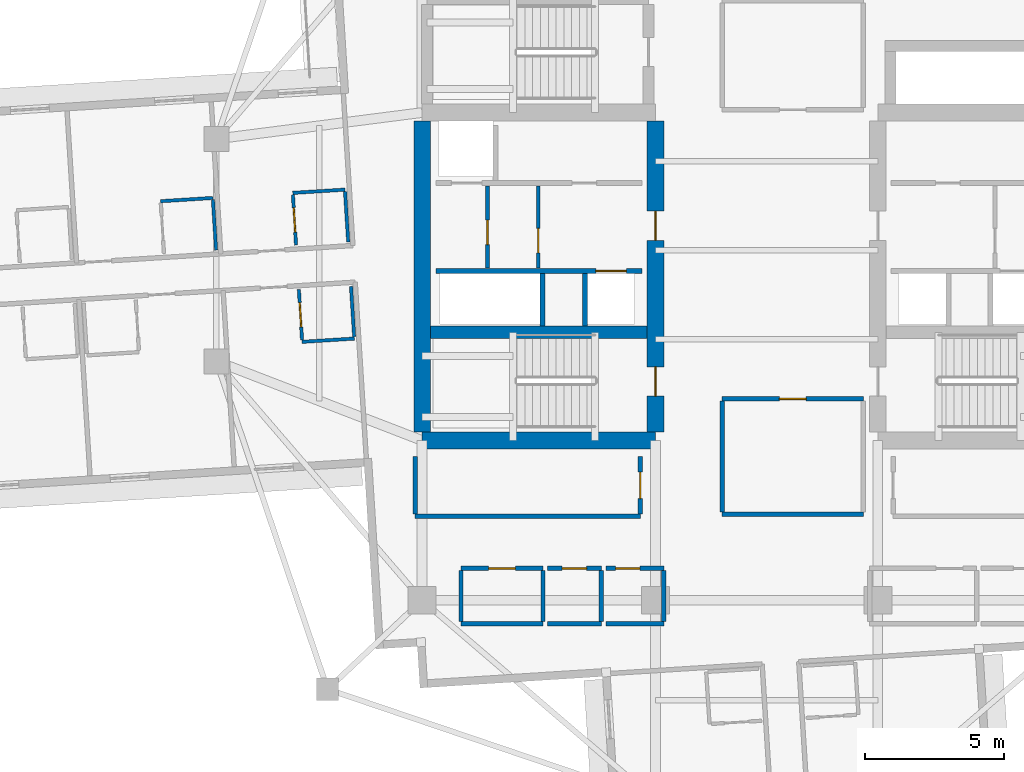
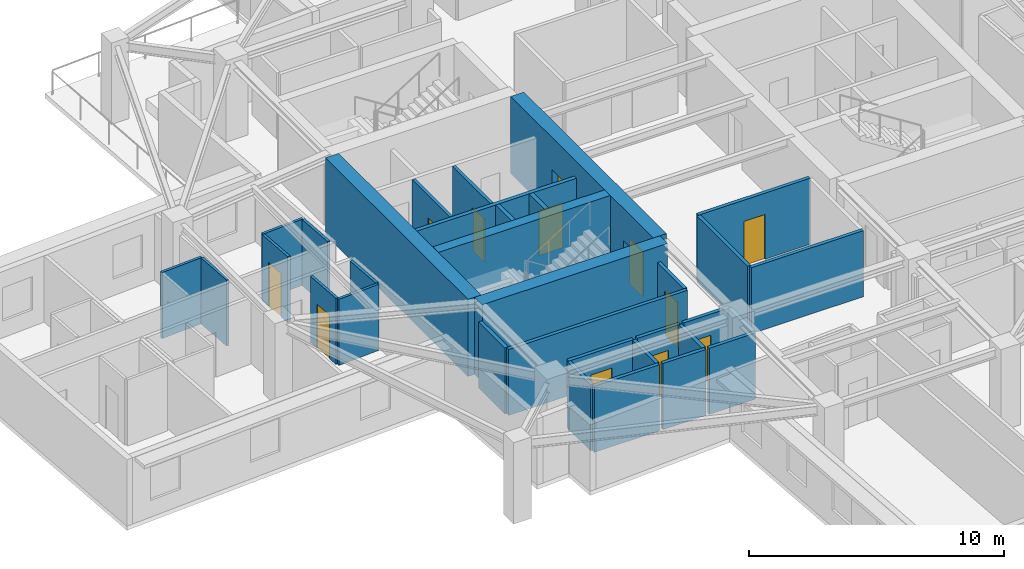
# One storey, part 4 of 13: 33 walls, 12 doors, 12 openings.
"""IFC4 building model written with IfcOpenShell, lengths in metres."""

from ifc_helpers import new_model, si_unit, direction, frame, frame_2d, origin, place, context, subcontext, project, spatial, rectangle, extrude, material, layer, layer_set, type_object, element, fill, save


model = new_model("IFC4")

# Units and contexts
model_context = context("Model", 3, precision=1e-05, world=origin(), true_north=direction((0.0, 1.0)))
body_context = subcontext(model_context, "Body", "Model", "MODEL_VIEW")
ifc_project = project(units=[si_unit("LENGTHUNIT", "METRE"), si_unit("AREAUNIT", "SQUARE_METRE"), si_unit("VOLUMEUNIT", "CUBIC_METRE"), si_unit("PLANEANGLEUNIT", "RADIAN"), si_unit("MASSUNIT", "GRAM", prefix="KILO")], contexts=[model_context])

# Site, building, storey
site_placement = place(None, origin())
site = spatial("IfcSite", under=ifc_project, at=site_placement, CompositionType="ELEMENT")
building_placement = place(site_placement, origin())
building = spatial("IfcBuilding", under=site, at=building_placement, Name="Qingluan Cross Belvedere", CompositionType="ELEMENT")
storey_placement = place(building_placement, frame((0.0, 0.0, 201.300048828125)))
storey = spatial("IfcBuildingStorey", under=building, at=storey_placement, Name="L50", CompositionType="ELEMENT", Elevation=201.300048828125)

# Walls
ifc_material_1 = material(Name="Concrete C50", Category="concrete")
ifc_layer_1 = layer(ifc_material_1, 0.449951171875, Name="CoreShearWall_450")
ifc_layer_set_1 = layer_set([ifc_layer_1], Name="Concrete C50")
wall_type_1 = type_object("IfcWallType", Name="CoreShearWall_450", PredefinedType="SHEAR", material=ifc_layer_set_1)
wall_1_placement = place(storey_placement, frame((-12.094970703125, -2.9599609375, 0.0), z_axis=(0.0, 0.0, 1.0), x_axis=(1.0, 0.0, 0.0)))
element("IfcWall", 1, at=wall_1_placement, inside=storey, type_object=wall_type_1, Name="Split core W shear wall L50-M", PredefinedType="SHEAR", context=body_context, shape_type="SweptSolid", body=[
    extrude(rectangle(XDim=7.7900390625, YDim=0.449951171875, at=frame_2d((3.89501953125, 0.0))), origin(), (0.0, 0.0, 1.0), 3.699951171875),
])
ifc_material_2 = material(Name="Concrete C60", Category="concrete")
ifc_layer_2 = layer(ifc_material_2, 0.60009765625, Name="CoreShearWall_600")
ifc_layer_set_2 = layer_set([ifc_layer_2], Name="Concrete C60")
wall_type_2 = type_object("IfcWallType", Name="CoreShearWall_600", PredefinedType="SHEAR", material=ifc_layer_set_2)
wall_2_placement = place(storey_placement, frame((-12.39990234375, -6.85009765625, 0.0), z_axis=(0.0, 0.0, 1.0), x_axis=(1.0, 0.0, 0.0)))
element("IfcWall", 2, at=wall_2_placement, inside=storey, type_object=wall_type_2, Name="Split core W shear wall L50-S", PredefinedType="SHEAR", context=body_context, shape_type="SweptSolid", body=[
    extrude(rectangle(XDim=8.39990234375, YDim=0.60009765625, at=frame_2d((4.199951171875, 0.0))), origin(), (0.0, 0.0, 1.0), 3.699951171875),
])
wall_3_placement = place(storey_placement, frame((-12.39990234375, -6.544921875, 0.0), z_axis=(0.0, 0.0, 1.0), x_axis=(0.0, 1.0, 0.0)))
element("IfcWall", 3, at=wall_3_placement, inside=storey, type_object=wall_type_2, Name="Split core W shear wall L50-W", PredefinedType="SHEAR", context=body_context, shape_type="SweptSolid", body=[
    extrude(rectangle(XDim=11.18994140625, YDim=0.60009765625, at=frame_2d((5.594970703125, 0.0))), origin(), (0.0, 0.0, 1.0), 3.699951171875),
])

# Wall, openings, doors
wall_4_placement = place(storey_placement, frame((-4.0, -6.544921875, 0.0), z_axis=(0.0, 0.0, 1.0), x_axis=(0.0, 1.0, 0.0)))
wall_4 = element("IfcWall", 4, at=wall_4_placement, inside=storey, type_object=wall_type_2, Name="Split core W shear wall L50-E", PredefinedType="SHEAR", context=body_context, shape_type="SweptSolid", body=[
    extrude(rectangle(XDim=11.18994140625, YDim=0.60009765625, at=frame_2d((5.594970703125, 0.0))), origin(), (0.0, 0.0, 1.0), 3.699951171875),
])
opening_1_placement = place(wall_4_placement, frame((1.294921875, 0.0, 0.0)))
opening_1 = element("IfcOpeningElement", 5, at=opening_1_placement, cuts=wall_4, Name="Opening FD-B11", PredefinedType="OPENING", context=body_context, shape_type="SweptSolid", body=[
    extrude(rectangle(XDim=1.050048828125, YDim=2.14990234375, at=frame_2d((0.52490234375, 1.074951171875))), frame((0.0, 0.31005859375, 0.0), z_axis=(0.0, -1.0, 0.0), x_axis=(1.0, 0.0, 0.0)), (0.0, 0.0, 1.0), 0.6201171875),
])
opening_2_placement = place(wall_4_placement, frame((6.89501953125, 0.0, 0.0)))
opening_2 = element("IfcOpeningElement", 6, at=opening_2_placement, cuts=wall_4, Name="Opening FD-B11", PredefinedType="OPENING", context=body_context, shape_type="SweptSolid", body=[
    extrude(rectangle(XDim=1.050048828125, YDim=2.14990234375, at=frame_2d((0.52490234375, 1.074951171875))), frame((0.0, 0.31005859375, 0.0), z_axis=(0.0, -1.0, 0.0), x_axis=(1.0, 0.0, 0.0)), (0.0, 0.0, 1.0), 0.6201171875),
])
ifc_material_3 = material(Name="Steel Class B smoke-seal fire door", Category="steel")
door_type_1 = type_object("IfcDoorType", Name="StairLobbyFireDoor_FDB", OperationType="NOTDEFINED", PredefinedType="DOOR", material=ifc_material_3)
door_1_placement = place(opening_1_placement, origin())
door_1 = element("IfcDoor", 7, at=door_1_placement, inside=storey, type_object=door_type_1, Name="Smoke-proof stair ST1 fire door L50", OperationType="SINGLE_SWING_RIGHT", OverallHeight=2.14990234375, OverallWidth=1.050048828125, PredefinedType="DOOR", context=body_context, shape_type="SweptSolid", body=[
    extrude(rectangle(XDim=1.050048828125, YDim=2.14990234375, at=frame_2d((0.52490234375, 1.074951171875))), frame((0.0, 0.02490234375, 0.0), z_axis=(0.0, -1.0, 0.0), x_axis=(1.0, 0.0, 0.0)), (0.0, 0.0, 1.0), 0.050048828125),
])
fill(opening_1, door_1)
door_2_placement = place(opening_2_placement, origin())
door_2 = element("IfcDoor", 8, at=door_2_placement, inside=storey, type_object=door_type_1, Name="Firefighting lobby West fire door L50", OperationType="SINGLE_SWING_RIGHT", OverallHeight=2.14990234375, OverallWidth=1.050048828125, PredefinedType="DOOR", context=body_context, shape_type="SweptSolid", body=[
    extrude(rectangle(XDim=1.050048828125, YDim=2.14990234375, at=frame_2d((0.52490234375, 1.074951171875))), frame((0.0, 0.02490234375, 0.0), z_axis=(0.0, -1.0, 0.0), x_axis=(1.0, 0.0, 0.0)), (0.0, 0.0, 1.0), 0.050048828125),
])
fill(opening_2, door_2)

# Wall, opening, door
ifc_material_4 = material(Name="Gypsum plasterboard on steel stud acoustic partition", Category="steel")
ifc_layer_3 = layer(ifc_material_4, 0.159912109375, Name="CorridorPartition_160")
ifc_layer_set_3 = layer_set([ifc_layer_3], Name="Gypsum plasterboard on steel stud acoustic partition")
wall_type_3 = type_object("IfcWallType", Name="CorridorPartition_160", PredefinedType="PARTITIONING", material=ifc_layer_set_3)
wall_5_placement = place(storey_placement, frame((-10.050048828125, -0.652099609375, 0.0), z_axis=(0.0, 0.0, 1.0), x_axis=(0.0, 1.0, 0.0)))
wall_5 = element("IfcWall", 9, at=wall_5_placement, inside=storey, type_object=wall_type_3, Name="Partition L50:wv", PredefinedType="PARTITIONING", context=body_context, shape_type="SweptSolid", body=[
    extrude(rectangle(XDim=2.962158203125, YDim=0.139892578125, at=frame_2d((1.48095703125, 0.0))), origin(), (0.0, 0.0, 1.0), 3.169921875),
])
opening_3_placement = place(wall_5_placement, frame((0.85009765625, 0.0, 0.0)))
opening_3 = element("IfcOpeningElement", 10, at=opening_3_placement, cuts=wall_5, Name="Opening FD-B10", PredefinedType="OPENING", context=body_context, shape_type="SweptSolid", body=[
    extrude(rectangle(XDim=0.8798828125, YDim=2.10009765625, at=frame_2d((0.43994140625, 1.050048828125))), frame((0.0, 0.079833984375, 0.0), z_axis=(0.0, -1.0, 0.0), x_axis=(1.0, 0.0, 0.0)), (0.0, 0.0, 1.0), 0.159912109375),
])
ifc_material_5 = material(Name="Steel Class B service fire door", Category="steel")
door_type_2 = type_object("IfcDoorType", Name="RiserServiceFireDoor_FDB", OperationType="NOTDEFINED", PredefinedType="DOOR", material=ifc_material_5)
door_3_placement = place(opening_3_placement, origin())
door_3 = element("IfcDoor", 11, at=door_3_placement, inside=storey, type_object=door_type_2, Name="Service closet inner door L50", OperationType="SINGLE_SWING_LEFT", OverallHeight=2.10009765625, OverallWidth=0.8798828125, PredefinedType="DOOR", context=body_context, shape_type="SweptSolid", body=[
    extrude(rectangle(XDim=0.8798828125, YDim=2.10009765625, at=frame_2d((0.43994140625, 1.050048828125))), frame((0.0, 0.02490234375, 0.0), z_axis=(0.0, -1.0, 0.0), x_axis=(1.0, 0.0, 0.0)), (0.0, 0.0, 1.0), 0.050048828125),
])
fill(opening_3, door_3)

# Wall
wall_6_placement = place(storey_placement, frame((-11.0, -13.449951171875, 0.0), z_axis=(0.0, 0.0, 1.0), x_axis=(1.0, 0.0, 0.0)))
element("IfcWall", 12, at=wall_6_placement, inside=storey, type_object=wall_type_3, Name="Partition L50:q_sw_occ:S", PredefinedType="PARTITIONING", context=body_context, shape_type="SweptSolid", body=[
    extrude(rectangle(XDim=2.949951171875, YDim=0.159912109375, at=frame_2d((1.47509765625, 0.0))), origin(), (0.0, 0.0, 1.0), 3.169921875),
])

# Wall, opening, door
wall_7_placement = place(storey_placement, frame((-11.0, -11.449951171875, 0.0), z_axis=(0.0, 0.0, 1.0), x_axis=(1.0, 0.0, 0.0)))
wall_7 = element("IfcWall", 13, at=wall_7_placement, inside=storey, type_object=wall_type_3, Name="Partition L50:q_sw_occ:N", PredefinedType="PARTITIONING", context=body_context, shape_type="SweptSolid", body=[
    extrude(rectangle(XDim=2.949951171875, YDim=0.159912109375, at=frame_2d((1.47509765625, 0.0))), origin(), (0.0, 0.0, 1.0), 3.169921875),
])
opening_4_placement = place(wall_7_placement, frame((0.9951171875, 0.0, 0.0)))
opening_4 = element("IfcOpeningElement", 14, at=opening_4_placement, cuts=wall_7, Name="Opening GD-10", PredefinedType="OPENING", context=body_context, shape_type="SweptSolid", body=[
    extrude(rectangle(XDim=0.9599609375, YDim=2.14990234375, at=frame_2d((0.47998046875, 1.074951171875))), frame((0.0, 0.08984375, 0.0), z_axis=(0.0, -1.0, 0.0), x_axis=(1.0, 0.0, 0.0)), (0.0, 0.0, 1.0), 0.179931640625),
])
ifc_material_6 = material(Name="Timber oak fire-rated acoustic guestroom door", Category="wood")
door_type_3 = type_object("IfcDoorType", Name="GuestEntryDoor_FD60", OperationType="NOTDEFINED", PredefinedType="DOOR", material=ifc_material_6)
door_4_placement = place(opening_4_placement, origin())
door_4 = element("IfcDoor", 15, at=door_4_placement, inside=storey, type_object=door_type_3, Name="Music listening study L50 door", OperationType="SINGLE_SWING_RIGHT", OverallHeight=2.14990234375, OverallWidth=0.9599609375, PredefinedType="DOOR", context=body_context, shape_type="SweptSolid", body=[
    extrude(rectangle(XDim=0.9599609375, YDim=2.14990234375, at=frame_2d((0.47998046875, 1.074951171875))), frame((0.0, 0.02490234375, 0.0), z_axis=(0.0, -1.0, 0.0), x_axis=(1.0, 0.0, 0.0)), (0.0, 0.0, 1.0), 0.050048828125),
])
fill(opening_4, door_4)

# Walls
for number, where, z_axis, x_axis, name in (
    (16, (-11.0, -13.364990234375, 0.0), (0.0, 0.0, 1.0), (0.0, 1.0, 0.0), "Partition L50:q_sw_occ:W"),
    (17, (-8.050048828125, -13.364990234375, 0.0), (0.0, 0.0, 1.0), (0.0, 1.0, 0.0), "Partition L50:q_sw_occ:E"),
):
    element("IfcWall", number, at=place(storey_placement, frame(where, z_axis=z_axis, x_axis=x_axis)), inside=storey, type_object=wall_type_3, Name=name, PredefinedType="PARTITIONING", context=body_context, shape_type="SweptSolid", body=[
        extrude(rectangle(XDim=1.830078125, YDim=0.159912109375, at=frame_2d((0.9150390625, 0.0))), origin(), (0.0, 0.0, 1.0), 3.169921875),
    ])
wall_8_placement = place(storey_placement, frame((-7.889892578125, -13.449951171875, 0.0), z_axis=(0.0, 0.0, 1.0), x_axis=(1.0, 0.0, 0.0)))
element("IfcWall", 18, at=wall_8_placement, inside=storey, type_object=wall_type_3, Name="Partition L50:hk_linen:S", PredefinedType="PARTITIONING", context=body_context, shape_type="SweptSolid", body=[
    extrude(rectangle(XDim=1.93994140625, YDim=0.159912109375, at=frame_2d((0.969970703125, 0.0))), origin(), (0.0, 0.0, 1.0), 3.169921875),
])

# Wall, opening, door
wall_9_placement = place(storey_placement, frame((-7.889892578125, -11.449951171875, 0.0), z_axis=(0.0, 0.0, 1.0), x_axis=(1.0, 0.0, 0.0)))
wall_9 = element("IfcWall", 19, at=wall_9_placement, inside=storey, type_object=wall_type_3, Name="Partition L50:hk_linen:N", PredefinedType="PARTITIONING", context=body_context, shape_type="SweptSolid", body=[
    extrude(rectangle(XDim=1.93994140625, YDim=0.159912109375, at=frame_2d((0.969970703125, 0.0))), origin(), (0.0, 0.0, 1.0), 3.169921875),
])
opening_5_placement = place(wall_9_placement, frame((0.530029296875, 0.0, 0.0)))
opening_5 = element("IfcOpeningElement", 20, at=opening_5_placement, cuts=wall_9, Name="Opening FD-B10", PredefinedType="OPENING", context=body_context, shape_type="SweptSolid", body=[
    extrude(rectangle(XDim=0.8798828125, YDim=2.10009765625, at=frame_2d((0.43994140625, 1.050048828125))), frame((0.0, 0.08984375, 0.0), z_axis=(0.0, -1.0, 0.0), x_axis=(1.0, 0.0, 0.0)), (0.0, 0.0, 1.0), 0.179931640625),
])
door_5_placement = place(opening_5_placement, origin())
door_5 = element("IfcDoor", 21, at=door_5_placement, inside=storey, type_object=door_type_2, Name="Housekeeping and linen store L50 door", OperationType="SINGLE_SWING_LEFT", OverallHeight=2.10009765625, OverallWidth=0.8798828125, PredefinedType="DOOR", context=body_context, shape_type="SweptSolid", body=[
    extrude(rectangle(XDim=0.8798828125, YDim=2.10009765625, at=frame_2d((0.43994140625, 1.050048828125))), frame((0.0, 0.02490234375, 0.0), z_axis=(0.0, -1.0, 0.0), x_axis=(1.0, 0.0, 0.0)), (0.0, 0.0, 1.0), 0.050048828125),
])
fill(opening_5, door_5)

# Walls
wall_10_placement = place(storey_placement, frame((-5.949951171875, -13.364990234375, 0.0), z_axis=(0.0, 0.0, 1.0), x_axis=(0.0, 1.0, 0.0)))
element("IfcWall", 22, at=wall_10_placement, inside=storey, type_object=wall_type_3, Name="Partition L50:hk_linen:E", PredefinedType="PARTITIONING", context=body_context, shape_type="SweptSolid", body=[
    extrude(rectangle(XDim=1.830078125, YDim=0.159912109375, at=frame_2d((0.9150390625, 0.0))), origin(), (0.0, 0.0, 1.0), 3.169921875),
])
wall_11_placement = place(storey_placement, frame((-5.7900390625, -13.449951171875, 0.0), z_axis=(0.0, 0.0, 1.0), x_axis=(1.0, 0.0, 0.0)))
element("IfcWall", 23, at=wall_11_placement, inside=storey, type_object=wall_type_3, Name="Partition L50:floor_acc_wc:S", PredefinedType="PARTITIONING", context=body_context, shape_type="SweptSolid", body=[
    extrude(rectangle(XDim=2.090087890625, YDim=0.159912109375, at=frame_2d((1.044921875, 0.0))), origin(), (0.0, 0.0, 1.0), 3.169921875),
])

# Wall, opening, door
wall_12_placement = place(storey_placement, frame((-5.7900390625, -11.449951171875, 0.0), z_axis=(0.0, 0.0, 1.0), x_axis=(1.0, 0.0, 0.0)))
wall_12 = element("IfcWall", 24, at=wall_12_placement, inside=storey, type_object=wall_type_3, Name="Partition L50:floor_acc_wc:N", PredefinedType="PARTITIONING", context=body_context, shape_type="SweptSolid", body=[
    extrude(rectangle(XDim=2.090087890625, YDim=0.159912109375, at=frame_2d((1.044921875, 0.0))), origin(), (0.0, 0.0, 1.0), 3.169921875),
])
opening_6_placement = place(wall_12_placement, frame((0.35009765625, 0.0, 0.0)))
opening_6 = element("IfcOpeningElement", 25, at=opening_6_placement, cuts=wall_12, Name="Opening BD-08", PredefinedType="OPENING", context=body_context, shape_type="SweptSolid", body=[
    extrude(rectangle(XDim=0.8798828125, YDim=2.14990234375, at=frame_2d((0.43994140625, 1.074951171875))), frame((0.0, 0.08984375, 0.0), z_axis=(0.0, -1.0, 0.0), x_axis=(1.0, 0.0, 0.0)), (0.0, 0.0, 1.0), 0.179931640625),
])
ifc_material_7 = material(Name="Moisture-sealed timber accessible WC door", Category="wood")
door_type_4 = type_object("IfcDoorType", Name="AccessibleWCDoor_880", OperationType="NOTDEFINED", PredefinedType="DOOR", material=ifc_material_7)
door_6_placement = place(opening_6_placement, origin())
door_6 = element("IfcDoor", 26, at=door_6_placement, inside=storey, type_object=door_type_4, Name="Accessible guest washroom L50 door", OperationType="SINGLE_SWING_RIGHT", OverallHeight=2.14990234375, OverallWidth=0.8798828125, PredefinedType="DOOR", context=body_context, shape_type="SweptSolid", body=[
    extrude(rectangle(XDim=0.8798828125, YDim=2.14990234375, at=frame_2d((0.43994140625, 1.074951171875))), frame((0.0, 0.02490234375, 0.0), z_axis=(0.0, -1.0, 0.0), x_axis=(1.0, 0.0, 0.0)), (0.0, 0.0, 1.0), 0.050048828125),
])
fill(opening_6, door_6)

# Walls
wall_13_placement = place(storey_placement, frame((-3.699951171875, -13.364990234375, 0.0), z_axis=(0.0, 0.0, 1.0), x_axis=(0.0, 1.0, 0.0)))
element("IfcWall", 27, at=wall_13_placement, inside=storey, type_object=wall_type_3, Name="Partition L50:floor_acc_wc:E", PredefinedType="PARTITIONING", context=body_context, shape_type="SweptSolid", body=[
    extrude(rectangle(XDim=1.830078125, YDim=0.159912109375, at=frame_2d((0.9150390625, 0.0))), origin(), (0.0, 0.0, 1.0), 3.169921875),
])
wall_14_placement = place(storey_placement, frame((-1.60009765625, -9.5, 0.0), z_axis=(0.0, 0.0, 1.0), x_axis=(1.0, 0.0, 0.0)))
element("IfcWall", 28, at=wall_14_placement, inside=storey, type_object=wall_type_3, Name="Partition L50:sky_south_alcove:S", PredefinedType="PARTITIONING", context=body_context, shape_type="SweptSolid", body=[
    extrude(rectangle(XDim=5.080078125, YDim=0.159912109375, at=frame_2d((2.5400390625, 0.0))), origin(), (0.0, 0.0, 1.0), 3.169921875),
])

# Wall, opening, door
wall_15_placement = place(storey_placement, frame((-1.60009765625, -5.35009765625, 0.0), z_axis=(0.0, 0.0, 1.0), x_axis=(1.0, 0.0, 0.0)))
wall_15 = element("IfcWall", 29, at=wall_15_placement, inside=storey, type_object=wall_type_3, Name="Partition L50:sky_south_alcove:N", PredefinedType="PARTITIONING", context=body_context, shape_type="SweptSolid", body=[
    extrude(rectangle(XDim=5.080078125, YDim=0.159912109375, at=frame_2d((2.5400390625, 0.0))), origin(), (0.0, 0.0, 1.0), 3.169921875),
])
opening_7_placement = place(wall_15_placement, frame((2.06005859375, 0.0, 0.0)))
opening_7 = element("IfcOpeningElement", 30, at=opening_7_placement, cuts=wall_15, Name="Opening GD-10", PredefinedType="OPENING", context=body_context, shape_type="SweptSolid", body=[
    extrude(rectangle(XDim=0.9599609375, YDim=2.14990234375, at=frame_2d((0.47998046875, 1.074951171875))), frame((0.0, 0.08984375, 0.0), z_axis=(0.0, -1.0, 0.0), x_axis=(1.0, 0.0, 0.0)), (0.0, 0.0, 1.0), 0.179931640625),
])
door_7_placement = place(opening_7_placement, origin())
door_7 = element("IfcDoor", 31, at=door_7_placement, inside=storey, type_object=door_type_3, Name="South horizon reading alcove L50 door", OperationType="SINGLE_SWING_RIGHT", OverallHeight=2.14990234375, OverallWidth=0.9599609375, PredefinedType="DOOR", context=body_context, shape_type="SweptSolid", body=[
    extrude(rectangle(XDim=0.9599609375, YDim=2.14990234375, at=frame_2d((0.47998046875, 1.074951171875))), frame((0.0, 0.02490234375, 0.0), z_axis=(0.0, -1.0, 0.0), x_axis=(1.0, 0.0, 0.0)), (0.0, 0.0, 1.0), 0.050048828125),
])
fill(opening_7, door_7)

# Walls
wall_16_placement = place(storey_placement, frame((-1.60009765625, -9.4150390625, 0.0), z_axis=(0.0, 0.0, 1.0), x_axis=(0.0, 1.0, 0.0)))
element("IfcWall", 32, at=wall_16_placement, inside=storey, type_object=wall_type_3, Name="Partition L50:sky_south_alcove:W", PredefinedType="PARTITIONING", context=body_context, shape_type="SweptSolid", body=[
    extrude(rectangle(XDim=3.97998046875, YDim=0.159912109375, at=frame_2d((1.989990234375, 0.0))), origin(), (0.0, 0.0, 1.0), 3.169921875),
])
wall_17_placement = place(storey_placement, frame((-12.64990234375, -9.580078125, 0.0), z_axis=(0.0, 0.0, 1.0), x_axis=(1.0, 0.0, 0.0)))
element("IfcWall", 33, at=wall_17_placement, inside=storey, type_object=wall_type_3, Name="Partition L50:rec_st4_w:S", PredefinedType="PARTITIONING", context=body_context, shape_type="SweptSolid", body=[
    extrude(rectangle(XDim=8.099853515625, YDim=0.159912109375, at=frame_2d((4.0498046875, 0.0))), origin(), (0.0, 0.0, 1.0), 3.169921875),
])
wall_18_placement = place(storey_placement, frame((-12.64990234375, -9.4951171875, 0.0), z_axis=(0.0, 0.0, 1.0), x_axis=(0.0, 1.0, 0.0)))
element("IfcWall", 34, at=wall_18_placement, inside=storey, type_object=wall_type_3, Name="Partition L50:rec_st4_w:W", PredefinedType="PARTITIONING", context=body_context, shape_type="SweptSolid", body=[
    extrude(rectangle(XDim=2.06005859375, YDim=0.159912109375, at=frame_2d((1.030029296875, 0.0))), origin(), (0.0, 0.0, 1.0), 3.169921875),
])

# Wall, opening, door
wall_19_placement = place(storey_placement, frame((-4.550048828125, -9.4951171875, 0.0), z_axis=(0.0, 0.0, 1.0), x_axis=(0.0, 1.0, 0.0)))
wall_19 = element("IfcWall", 35, at=wall_19_placement, inside=storey, type_object=wall_type_3, Name="Partition L50:rec_st4_w:E", PredefinedType="PARTITIONING", context=body_context, shape_type="SweptSolid", body=[
    extrude(rectangle(XDim=2.06005859375, YDim=0.159912109375, at=frame_2d((1.030029296875, 0.0))), origin(), (0.0, 0.0, 1.0), 3.169921875),
])
opening_8_placement = place(wall_19_placement, frame((0.550048828125, 0.0, 0.0)))
opening_8 = element("IfcOpeningElement", 36, at=opening_8_placement, cuts=wall_19, Name="Opening GD-10", PredefinedType="OPENING", context=body_context, shape_type="SweptSolid", body=[
    extrude(rectangle(XDim=0.9599609375, YDim=2.14990234375, at=frame_2d((0.47998046875, 1.074951171875))), frame((0.0, 0.08984375, 0.0), z_axis=(0.0, -1.0, 0.0), x_axis=(1.0, 0.0, 0.0)), (0.0, 0.0, 1.0), 0.179931640625),
])
door_8_placement = place(opening_8_placement, origin())
door_8 = element("IfcDoor", 37, at=door_8_placement, inside=storey, type_object=door_type_3, Name="Southwest club reading room L50 door", OperationType="SINGLE_SWING_RIGHT", OverallHeight=2.14990234375, OverallWidth=0.9599609375, PredefinedType="DOOR", context=body_context, shape_type="SweptSolid", body=[
    extrude(rectangle(XDim=0.9599609375, YDim=2.14990234375, at=frame_2d((0.47998046875, 1.074951171875))), frame((0.0, 0.02490234375, 0.0), z_axis=(0.0, -1.0, 0.0), x_axis=(1.0, 0.0, 0.0)), (0.0, 0.0, 1.0), 0.050048828125),
])
fill(opening_8, door_8)

ifc_material_8 = material(Name="Moisture-resistant gypsum board lining")
ifc_layer_4 = layer(ifc_material_8, 0.1201171875, Name="EnsuiteWetPartition_120")
ifc_layer_set_4 = layer_set([ifc_layer_4], Name="Moisture-resistant gypsum board lining")
wall_type_4 = type_object("IfcWallType", Name="EnsuiteWetPartition_120", PredefinedType="PARTITIONING", material=ifc_layer_set_4)
wall_20_placement = place(storey_placement, frame((-16.9345703125, 0.177001953125, 0.0), z_axis=(0.0, 0.0, 1.0), x_axis=(-0.062779145668, 0.998027443946, 0.0)))
wall_20 = element("IfcWall", 38, at=wall_20_placement, inside=storey, type_object=wall_type_4, Name="Partition L50:W:bs0_0", PredefinedType="PARTITIONING", context=body_context, shape_type="SweptSolid", body=[
    extrude(rectangle(XDim=1.820068359375, YDim=0.1201171875, at=frame_2d((0.91015625, 0.0))), origin(), (0.0, 0.0, 1.0), 3.169921875),
])
opening_9_placement = place(wall_20_placement, frame((0.469970703125, 0.0, 0.0)))
opening_9 = element("IfcOpeningElement", 39, at=opening_9_placement, cuts=wall_20, Name="Opening BD-09", PredefinedType="OPENING", context=body_context, shape_type="SweptSolid", body=[
    extrude(rectangle(XDim=0.8798828125, YDim=2.10009765625, at=frame_2d((0.43994140625, 1.050048828125))), frame((0.0, 0.070068359375, 0.0), z_axis=(0.0, -1.0, 0.0), x_axis=(1.0, 0.0, 0.0)), (0.0, 0.0, 1.0), 0.14013671875),
])
ifc_material_9 = material(Name="Moisture-sealed timber en-suite door", Category="wood")
door_type_5 = type_object("IfcDoorType", Name="BathroomDoor_880", OperationType="NOTDEFINED", PredefinedType="DOOR", material=ifc_material_9)
door_9_placement = place(opening_9_placement, origin())
door_9 = element("IfcDoor", 40, at=door_9_placement, inside=storey, type_object=door_type_5, Name="Bathroom door 5007", OperationType="SINGLE_SWING_RIGHT", OverallHeight=2.10009765625, OverallWidth=0.8798828125, PredefinedType="DOOR", context=body_context, shape_type="SweptSolid", body=[
    extrude(rectangle(XDim=0.8798828125, YDim=2.10009765625, at=frame_2d((0.43994140625, 1.050048828125))), frame((0.0, 0.02490234375, 0.0), z_axis=(0.0, -1.0, 0.0), x_axis=(1.0, 0.0, 0.0)), (0.0, 0.0, 1.0), 0.050048828125),
])
fill(opening_9, door_9)

# Walls
wall_21_placement = place(storey_placement, frame((-15.05810546875, 0.295166015625, 0.0), z_axis=(0.0, 0.0, 1.0), x_axis=(-0.062912758763, 0.998019030272, 0.0)))
element("IfcWall", 41, at=wall_21_placement, inside=storey, type_object=wall_type_4, Name="Partition L50:W:bw0_0", PredefinedType="PARTITIONING", context=body_context, shape_type="SweptSolid", body=[
    extrude(rectangle(XDim=1.820068359375, YDim=0.1201171875, at=frame_2d((0.91015625, 0.0))), origin(), (0.0, 0.0, 1.0), 3.169921875),
])
wall_22_placement = place(storey_placement, frame((-15.176513671875, 2.17626953125, 0.0), z_axis=(0.0, 0.0, 1.0), x_axis=(-0.998031300018, -0.062717813936, 0.0)))
element("IfcWall", 42, at=wall_22_placement, inside=storey, type_object=wall_type_4, Name="Partition L50:W:bn0_0", PredefinedType="PARTITIONING", context=body_context, shape_type="SweptSolid", body=[
    extrude(rectangle(XDim=1.880126953125, YDim=0.1201171875, at=frame_2d((0.93994140625, 0.0))), origin(), (0.0, 0.0, 1.0), 3.169921875),
])
wall_23_placement = place(storey_placement, frame((-19.811767578125, -0.00390625, 0.0), z_axis=(0.0, 0.0, 1.0), x_axis=(-0.062779145668, 0.998027443946, 0.0)))
element("IfcWall", 43, at=wall_23_placement, inside=storey, type_object=wall_type_4, Name="Partition L50:W:bw0_1", PredefinedType="PARTITIONING", context=body_context, shape_type="SweptSolid", body=[
    extrude(rectangle(XDim=1.820068359375, YDim=0.1201171875, at=frame_2d((0.91015625, 0.0))), origin(), (0.0, 0.0, 1.0), 3.169921875),
])
wall_24_placement = place(storey_placement, frame((-19.93017578125, 1.877197265625, 0.0), z_axis=(0.0, 0.0, 1.0), x_axis=(-0.998030789148, -0.062725942896, 0.0)))
element("IfcWall", 44, at=wall_24_placement, inside=storey, type_object=wall_type_4, Name="Partition L50:W:bn0_1", PredefinedType="PARTITIONING", context=body_context, shape_type="SweptSolid", body=[
    extrude(rectangle(XDim=1.8798828125, YDim=0.1201171875, at=frame_2d((0.93994140625, 0.0))), origin(), (0.0, 0.0, 1.0), 3.169921875),
])

# Wall, opening, door
wall_25_placement = place(storey_placement, frame((-16.7197265625, -3.236083984375, 0.0), z_axis=(0.0, 0.0, 1.0), x_axis=(-0.062787551592, 0.998026915151, 0.0)))
wall_25 = element("IfcWall", 45, at=wall_25_placement, inside=storey, type_object=wall_type_4, Name="Partition L50:W:bs1_0", PredefinedType="PARTITIONING", context=body_context, shape_type="SweptSolid", body=[
    extrude(rectangle(XDim=1.81982421875, YDim=0.1201171875, at=frame_2d((0.909912109375, 0.0))), origin(), (0.0, 0.0, 1.0), 3.169921875),
])
opening_10_placement = place(wall_25_placement, frame((0.469970703125, 0.0, 0.0)))
opening_10 = element("IfcOpeningElement", 46, at=opening_10_placement, cuts=wall_25, Name="Opening BD-09", PredefinedType="OPENING", context=body_context, shape_type="SweptSolid", body=[
    extrude(rectangle(XDim=0.8798828125, YDim=2.10009765625, at=frame_2d((0.43994140625, 1.050048828125))), frame((0.0, 0.070068359375, 0.0), z_axis=(0.0, -1.0, 0.0), x_axis=(1.0, 0.0, 0.0)), (0.0, 0.0, 1.0), 0.14013671875),
])
door_10_placement = place(opening_10_placement, origin())
door_10 = element("IfcDoor", 47, at=door_10_placement, inside=storey, type_object=door_type_5, Name="Bathroom door 5010", OperationType="SINGLE_SWING_RIGHT", OverallHeight=2.10009765625, OverallWidth=0.8798828125, PredefinedType="DOOR", context=body_context, shape_type="SweptSolid", body=[
    extrude(rectangle(XDim=0.8798828125, YDim=2.10009765625, at=frame_2d((0.43994140625, 1.050048828125))), frame((0.0, 0.02490234375, 0.0), z_axis=(0.0, -1.0, 0.0), x_axis=(1.0, 0.0, 0.0)), (0.0, 0.0, 1.0), 0.050048828125),
])
fill(opening_10, door_10)

# Walls
wall_26_placement = place(storey_placement, frame((-14.843505859375, -3.1181640625, 0.0), z_axis=(0.0, 0.0, 1.0), x_axis=(-0.062779145668, 0.998027443946, 0.0)))
element("IfcWall", 48, at=wall_26_placement, inside=storey, type_object=wall_type_4, Name="Partition L50:W:bw1_0", PredefinedType="PARTITIONING", context=body_context, shape_type="SweptSolid", body=[
    extrude(rectangle(XDim=1.820068359375, YDim=0.1201171875, at=frame_2d((0.91015625, 0.0))), origin(), (0.0, 0.0, 1.0), 3.169921875),
])
wall_27_placement = place(storey_placement, frame((-14.83935546875, -3.18310546875, 0.0), z_axis=(0.0, 0.0, 1.0), x_axis=(-0.998031300018, -0.062717813936, 0.0)))
element("IfcWall", 49, at=wall_27_placement, inside=storey, type_object=wall_type_4, Name="Partition L50:W:bc1_0", PredefinedType="PARTITIONING", context=body_context, shape_type="SweptSolid", body=[
    extrude(rectangle(XDim=1.880126953125, YDim=0.1201171875, at=frame_2d((0.93994140625, 0.0))), origin(), (0.0, 0.0, 1.0), 3.169921875),
])

# Wall, opening, door
ifc_material_10 = material(Name="Concrete C40", Category="concrete")
ifc_layer_5 = layer(ifc_material_10, 0.219970703125, Name="ShaftEnclosureWall_250")
ifc_layer_set_5 = layer_set([ifc_layer_5], Name="Concrete C40")
wall_type_5 = type_object("IfcWallType", Name="ShaftEnclosureWall_250", PredefinedType="SOLIDWALL", material=ifc_layer_set_5)
wall_28_placement = place(storey_placement, frame((-11.89990234375, -0.75, 0.0), z_axis=(0.0, 0.0, 1.0), x_axis=(1.0, 0.0, 0.0)))
wall_28 = element("IfcWall", 50, at=wall_28_placement, inside=storey, type_object=wall_type_5, Name="Core-W mid hoistway wall L50", PredefinedType="SOLIDWALL", context=body_context, shape_type="SweptSolid", body=[
    extrude(rectangle(XDim=7.419921875, YDim=0.179931640625, at=frame_2d((3.7099609375, 0.0))), origin(), (0.0, 0.0, 1.0), 3.169921875),
])
opening_11_placement = place(wall_28_placement, frame((5.75, 0.0, 0.0)))
opening_11 = element("IfcOpeningElement", 51, at=opening_11_placement, cuts=wall_28, Name="Opening LD-11", PredefinedType="OPENING", context=body_context, shape_type="SweptSolid", body=[
    extrude(rectangle(XDim=1.10009765625, YDim=2.14990234375, at=frame_2d((0.550048828125, 1.074951171875))), frame((0.0, 0.099853515625, 0.0), z_axis=(0.0, -1.0, 0.0), x_axis=(1.0, 0.0, 0.0)), (0.0, 0.0, 1.0), 0.199951171875),
])
ifc_material_11 = material(Name="Brushed stainless steel centre-opening lift landing door", Category="steel")
door_type_6 = type_object("IfcDoorType", Name="LiftLandingSlidingDoor_1100", OperationType="DOUBLE_DOOR_SLIDING", PredefinedType="DOOR", material=ifc_material_11)
door_11_placement = place(opening_11_placement, origin())
door_11 = element("IfcDoor", 52, at=door_11_placement, inside=storey, type_object=door_type_6, Name="Lift landing sliding door LP8 L50", OperationType="DOUBLE_DOOR_SLIDING", OverallHeight=2.14990234375, OverallWidth=1.10009765625, PredefinedType="DOOR", context=body_context, shape_type="SweptSolid", body=[
    extrude(rectangle(XDim=1.10009765625, YDim=2.14990234375, at=frame_2d((0.550048828125, 1.074951171875))), frame((0.0, 0.02490234375, 0.0), z_axis=(0.0, -1.0, 0.0), x_axis=(1.0, 0.0, 0.0)), (0.0, 0.0, 1.0), 0.050048828125),
])
fill(opening_11, door_11)

# Walls
for number, where, z_axis, x_axis, name in (
    (53, (-8.06005859375, -2.72998046875, 0.0), (0.0, 0.0, 1.0), (0.0, 1.0, 0.0), "Hoistway enclosure divider LP6E L50"),
    (54, (-6.5400390625, -2.72998046875, 0.0), (0.0, 0.0, 1.0), (0.0, 1.0, 0.0), "Hoistway enclosure divider LP8W L50"),
):
    element("IfcWall", number, at=place(storey_placement, frame(where, z_axis=z_axis, x_axis=x_axis)), inside=storey, type_object=wall_type_5, Name=name, PredefinedType="SOLIDWALL", context=body_context, shape_type="SweptSolid", body=[
        extrude(rectangle(XDim=1.889892578125, YDim=0.179931640625, at=frame_2d((0.94482421875, 0.0))), origin(), (0.0, 0.0, 1.0), 3.169921875),
    ])

# Wall, opening, door
wall_29_placement = place(storey_placement, frame((-8.219970703125, -0.64990234375, 0.0), z_axis=(0.0, 0.0, 1.0), x_axis=(0.0, 1.0, 0.0)))
wall_29 = element("IfcWall", 55, at=wall_29_placement, inside=storey, type_object=wall_type_5, Name="Core-W service corridor wall L50", PredefinedType="SOLIDWALL", context=body_context, shape_type="SweptSolid", body=[
    extrude(rectangle(XDim=2.9599609375, YDim=0.139892578125, at=frame_2d((1.47998046875, 0.0))), origin(), (0.0, 0.0, 1.0), 3.169921875),
])
opening_12_placement = place(wall_29_placement, frame((0.550048828125, 0.0, 0.0)))
opening_12 = element("IfcOpeningElement", 56, at=opening_12_placement, cuts=wall_29, Name="Opening FD-B10", PredefinedType="OPENING", context=body_context, shape_type="SweptSolid", body=[
    extrude(rectangle(XDim=0.8798828125, YDim=2.10009765625, at=frame_2d((0.43994140625, 1.050048828125))), frame((0.0, 0.079833984375, 0.0), z_axis=(0.0, -1.0, 0.0), x_axis=(1.0, 0.0, 0.0)), (0.0, 0.0, 1.0), 0.159912109375),
])
door_12_placement = place(opening_12_placement, origin())
door_12 = element("IfcDoor", 57, at=door_12_placement, inside=storey, type_object=door_type_2, Name="Core-W service room door L50", OperationType="SINGLE_SWING_LEFT", OverallHeight=2.10009765625, OverallWidth=0.8798828125, PredefinedType="DOOR", context=body_context, shape_type="SweptSolid", body=[
    extrude(rectangle(XDim=0.8798828125, YDim=2.10009765625, at=frame_2d((0.43994140625, 1.050048828125))), frame((0.0, 0.02490234375, 0.0), z_axis=(0.0, -1.0, 0.0), x_axis=(1.0, 0.0, 0.0)), (0.0, 0.0, 1.0), 0.050048828125),
])
fill(opening_12, door_12)

save(model, "model.ifc")
